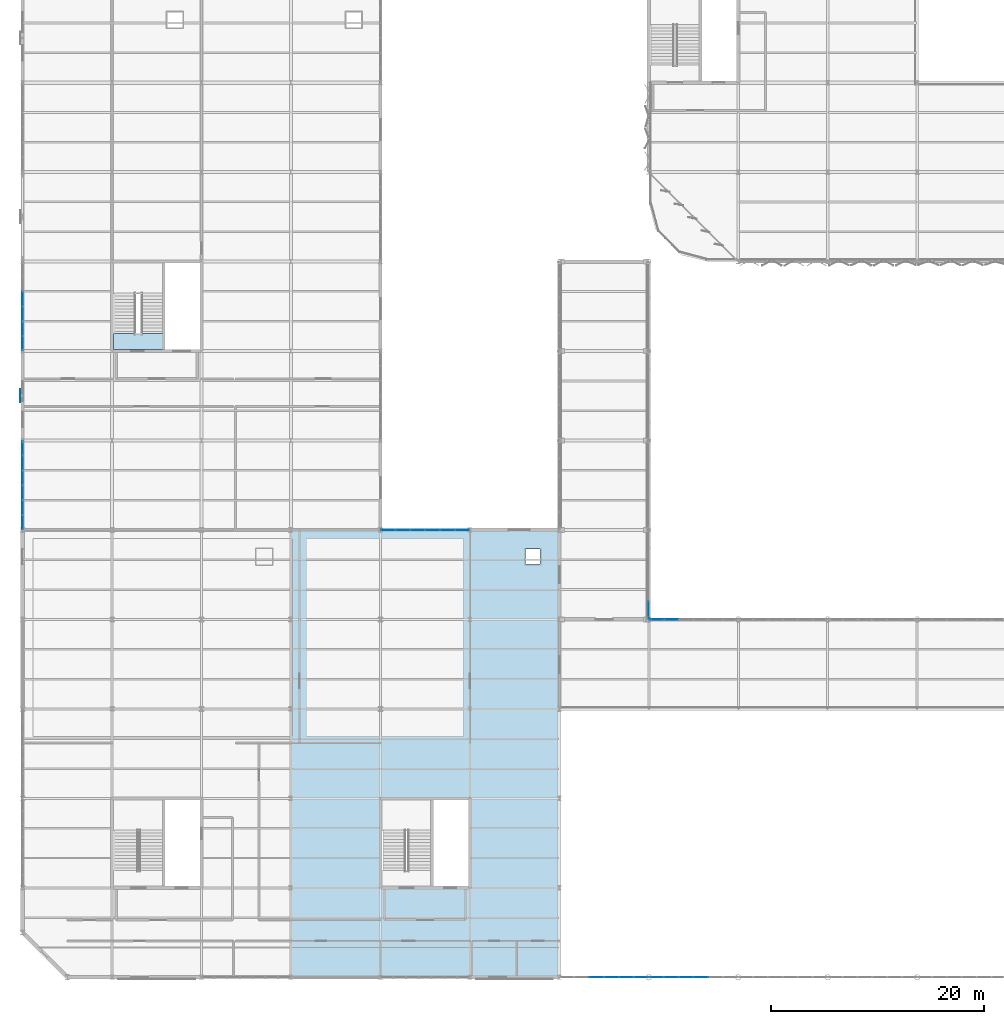
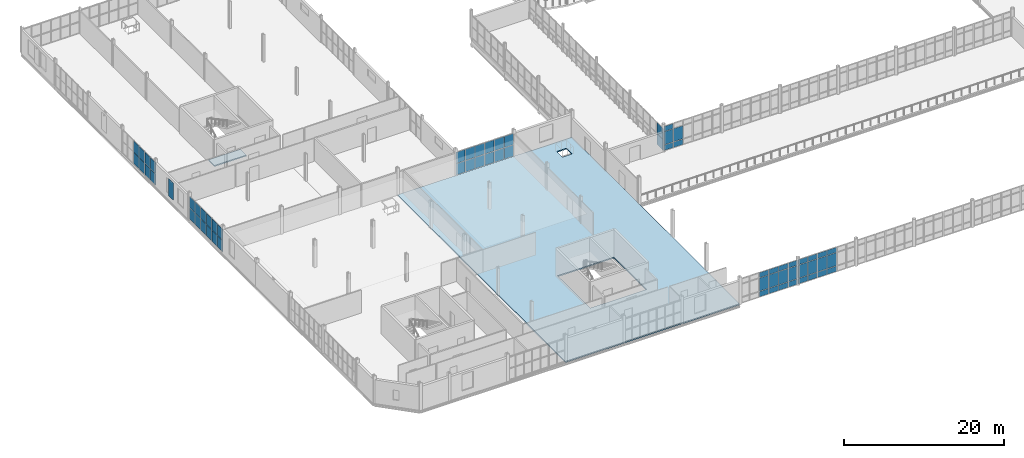
# One storey, part 113 of 163: 64 plates, 2 slabs, 7 elements without a shape of their own.
"""IFC4 building model written with IfcOpenShell, lengths in metres."""

from ifc_helpers import new_model, si_unit, direction, frame, origin, origin_2d, place, context, subcontext, project, spatial, polyline, rectangle, outline, extrude, material, layer, layer_set, type_object, element, aggregate, save


model = new_model("IFC4")

# Units and contexts
model_context = context("Model", 3, precision=1e-05, world=origin(), true_north=direction((0.0, 1.0)))
body_context = subcontext(model_context, "Body", "Model", "MODEL_VIEW")
ifc_project = project(units=[si_unit("LENGTHUNIT", "METRE"), si_unit("AREAUNIT", "SQUARE_METRE"), si_unit("VOLUMEUNIT", "CUBIC_METRE"), si_unit("PLANEANGLEUNIT", "RADIAN"), si_unit("MASSUNIT", "GRAM", prefix="KILO")], contexts=[model_context])

# Site, building, storey
site_placement = place(None, origin())
site = spatial("IfcSite", under=ifc_project, at=site_placement, CompositionType="ELEMENT")
building_placement = place(site_placement, origin())
building = spatial("IfcBuilding", under=site, at=building_placement, Name="Qalvenar Corner Mobility Hub", CompositionType="ELEMENT")
storey_placement = place(building_placement, frame((0.0, 0.0, 4.800048828125)))
storey = spatial("IfcBuildingStorey", under=building, at=storey_placement, Name="L01", CompositionType="ELEMENT", Elevation=4.800048828125)

# Curtain wall, plates
ifc_material_1 = material(Name="Anodised Aluminium and Low-E Glazing", Category="aluminium")
ifc_layer_1 = layer(ifc_material_1, 0.14990234375)
ifc_layer_set_1 = layer_set([ifc_layer_1], Name="Anodised Aluminium and Low-E Glazing")
curtain_wall_type_1 = type_object("IfcCurtainWallType", Name="CW-CIV-84X40", PredefinedType="NOTDEFINED", material=ifc_layer_set_1)
curtain_wall_1_placement = place(storey_placement, origin())
curtain_wall_1 = element("IfcCurtainWall", 1, at=curtain_wall_1_placement, inside=storey, type_object=curtain_wall_type_1, Name="Glazed Curtain Wall CW-V3-L01-N4", PredefinedType="NOTDEFINED")
ifc_material_2 = material(Name="Solar-Control Low-E Double Glazing", Category="glass")
ifc_layer_2 = layer(ifc_material_2, 0.028076171875)
ifc_layer_set_2 = layer_set([ifc_layer_2], Name="Solar-Control Low-E Double Glazing")
plate_type_1 = type_object("IfcPlateType", Name="PLT-CWP-GLZ1", PredefinedType="CURTAIN_PANEL", material=ifc_layer_set_2)
plate_1_placement = place(storey_placement, frame((41.284912109375, 42.0, 0.05517578125), z_axis=(0.0, 0.0, 1.0), x_axis=(-1.0, 0.0, 0.0)))
plate_1 = element("IfcPlate", 2, at=plate_1_placement, type_object=plate_type_1, Name="CW-05 panel 1.1", PredefinedType="CURTAIN_PANEL", context=body_context, shape_type="SweptSolid", body=[
    extrude(rectangle(XDim=1.31005859375, YDim=0.028076171875, at=origin_2d()), origin(), (0.0, 0.0, 1.0), 1.702392578125),
])
plate_2_placement = place(storey_placement, frame((41.284912109375, 42.0, 1.8125), z_axis=(0.0, 0.0, 1.0), x_axis=(-1.0, 0.0, 0.0)))
plate_2 = element("IfcPlate", 3, at=plate_2_placement, type_object=plate_type_1, Name="CW-05 panel 1.2", PredefinedType="CURTAIN_PANEL", context=body_context, shape_type="SweptSolid", body=[
    extrude(rectangle(XDim=1.31005859375, YDim=0.028076171875, at=origin_2d()), origin(), (0.0, 0.0, 1.0), 1.702392578125),
])
plate_3_placement = place(storey_placement, frame((39.89990234375, 42.0, 0.05517578125), z_axis=(0.0, 0.0, 1.0), x_axis=(-1.0, 0.0, 0.0)))
plate_3 = element("IfcPlate", 4, at=plate_3_placement, type_object=plate_type_1, Name="CW-05 panel 2.1", PredefinedType="CURTAIN_PANEL", context=body_context, shape_type="SweptSolid", body=[
    extrude(rectangle(XDim=1.340087890625, YDim=0.028076171875, at=origin_2d()), origin(), (0.0, 0.0, 1.0), 1.702392578125),
])
plate_4_placement = place(storey_placement, frame((39.89990234375, 42.0, 1.8125), z_axis=(0.0, 0.0, 1.0), x_axis=(-1.0, 0.0, 0.0)))
plate_4 = element("IfcPlate", 5, at=plate_4_placement, type_object=plate_type_1, Name="CW-05 panel 2.2", PredefinedType="CURTAIN_PANEL", context=body_context, shape_type="SweptSolid", body=[
    extrude(rectangle(XDim=1.340087890625, YDim=0.028076171875, at=origin_2d()), origin(), (0.0, 0.0, 1.0), 1.702392578125),
])
plate_5_placement = place(storey_placement, frame((38.5, 42.0, 0.05517578125), z_axis=(0.0, 0.0, 1.0), x_axis=(-1.0, 0.0, 0.0)))
plate_5 = element("IfcPlate", 6, at=plate_5_placement, type_object=plate_type_1, Name="CW-05 panel 3.1", PredefinedType="CURTAIN_PANEL", context=body_context, shape_type="SweptSolid", body=[
    extrude(rectangle(XDim=1.340087890625, YDim=0.028076171875, at=origin_2d()), origin(), (0.0, 0.0, 1.0), 1.702392578125),
])
plate_6_placement = place(storey_placement, frame((38.5, 42.0, 1.8125), z_axis=(0.0, 0.0, 1.0), x_axis=(-1.0, 0.0, 0.0)))
plate_6 = element("IfcPlate", 7, at=plate_6_placement, type_object=plate_type_1, Name="CW-05 panel 3.2", PredefinedType="CURTAIN_PANEL", context=body_context, shape_type="SweptSolid", body=[
    extrude(rectangle(XDim=1.340087890625, YDim=0.028076171875, at=origin_2d()), origin(), (0.0, 0.0, 1.0), 1.702392578125),
])
plate_7_placement = place(storey_placement, frame((37.10009765625, 42.0, 0.05517578125), z_axis=(0.0, 0.0, 1.0), x_axis=(-1.0, 0.0, 0.0)))
plate_7 = element("IfcPlate", 8, at=plate_7_placement, type_object=plate_type_1, Name="CW-05 panel 4.1", PredefinedType="CURTAIN_PANEL", context=body_context, shape_type="SweptSolid", body=[
    extrude(rectangle(XDim=1.340087890625, YDim=0.028076171875, at=origin_2d()), origin(), (0.0, 0.0, 1.0), 1.702392578125),
])
plate_8_placement = place(storey_placement, frame((37.10009765625, 42.0, 1.8125), z_axis=(0.0, 0.0, 1.0), x_axis=(-1.0, 0.0, 0.0)))
plate_8 = element("IfcPlate", 9, at=plate_8_placement, type_object=plate_type_1, Name="CW-05 panel 4.2", PredefinedType="CURTAIN_PANEL", context=body_context, shape_type="SweptSolid", body=[
    extrude(rectangle(XDim=1.340087890625, YDim=0.028076171875, at=origin_2d()), origin(), (0.0, 0.0, 1.0), 1.702392578125),
])
plate_9_placement = place(storey_placement, frame((35.699951171875, 42.0, 0.05517578125), z_axis=(0.0, 0.0, 1.0), x_axis=(-1.0, 0.0, 0.0)))
plate_9 = element("IfcPlate", 10, at=plate_9_placement, type_object=plate_type_1, Name="CW-05 panel 5.1", PredefinedType="CURTAIN_PANEL", context=body_context, shape_type="SweptSolid", body=[
    extrude(rectangle(XDim=1.340087890625, YDim=0.028076171875, at=origin_2d()), origin(), (0.0, 0.0, 1.0), 1.702392578125),
])
plate_10_placement = place(storey_placement, frame((35.699951171875, 42.0, 1.8125), z_axis=(0.0, 0.0, 1.0), x_axis=(-1.0, 0.0, 0.0)))
plate_10 = element("IfcPlate", 11, at=plate_10_placement, type_object=plate_type_1, Name="CW-05 panel 5.2", PredefinedType="CURTAIN_PANEL", context=body_context, shape_type="SweptSolid", body=[
    extrude(rectangle(XDim=1.340087890625, YDim=0.028076171875, at=origin_2d()), origin(), (0.0, 0.0, 1.0), 1.702392578125),
])
plate_11_placement = place(storey_placement, frame((34.31494140625, 42.0, 0.05517578125), z_axis=(0.0, 0.0, 1.0), x_axis=(-1.0, 0.0, 0.0)))
plate_11 = element("IfcPlate", 12, at=plate_11_placement, type_object=plate_type_1, Name="CW-05 panel 6.1", PredefinedType="CURTAIN_PANEL", context=body_context, shape_type="SweptSolid", body=[
    extrude(rectangle(XDim=1.31005859375, YDim=0.028076171875, at=origin_2d()), origin(), (0.0, 0.0, 1.0), 1.702392578125),
])
plate_12_placement = place(storey_placement, frame((34.31494140625, 42.0, 1.8125), z_axis=(0.0, 0.0, 1.0), x_axis=(-1.0, 0.0, 0.0)))
plate_12 = element("IfcPlate", 13, at=plate_12_placement, type_object=plate_type_1, Name="CW-05 panel 6.2", PredefinedType="CURTAIN_PANEL", context=body_context, shape_type="SweptSolid", body=[
    extrude(rectangle(XDim=1.31005859375, YDim=0.028076171875, at=origin_2d()), origin(), (0.0, 0.0, 1.0), 1.702392578125),
])
aggregate(curtain_wall_1, [plate_1, plate_2, plate_3, plate_4, plate_5, plate_6, plate_7, plate_8, plate_9, plate_10, plate_11, plate_12])

ifc_layer_3 = layer(ifc_material_1, 0.179931640625)
ifc_layer_set_3 = layer_set([ifc_layer_3], Name="Anodised Aluminium and Low-E Glazing")
curtain_wall_type_2 = type_object("IfcCurtainWallType", Name="CW-CONC-84X42", PredefinedType="NOTDEFINED", material=ifc_layer_set_3)
curtain_wall_2_placement = place(storey_placement, origin())
curtain_wall_2 = element("IfcCurtainWall", 14, at=curtain_wall_2_placement, inside=storey, type_object=curtain_wall_type_2, Name="Glazed Curtain Wall CW-V1-L01-S0", PredefinedType="NOTDEFINED")
plate_13_placement = place(storey_placement, frame((53.89990234375, 0.0, 0.054931640625), z_axis=(0.0, 0.0, 1.0), x_axis=(1.0, 0.0, 0.0)))
plate_13 = element("IfcPlate", 15, at=plate_13_placement, type_object=plate_type_1, Name="CW-02 panel 3.1", PredefinedType="CURTAIN_PANEL", context=body_context, shape_type="SweptSolid", body=[
    extrude(rectangle(XDim=1.340087890625, YDim=0.028076171875, at=origin_2d()), origin(), (0.0, 0.0, 1.0), 0.8173828125),
])
plate_14_placement = place(storey_placement, frame((53.89990234375, 0.0, 0.927490234375), z_axis=(0.0, 0.0, 1.0), x_axis=(1.0, 0.0, 0.0)))
plate_14 = element("IfcPlate", 16, at=plate_14_placement, type_object=plate_type_1, Name="CW-02 panel 3.2", PredefinedType="CURTAIN_PANEL", context=body_context, shape_type="SweptSolid", body=[
    extrude(rectangle(XDim=1.340087890625, YDim=0.028076171875, at=origin_2d()), origin(), (0.0, 0.0, 1.0), 1.9951171875),
])
plate_15_placement = place(storey_placement, frame((53.89990234375, 0.0, 2.977294921875), z_axis=(0.0, 0.0, 1.0), x_axis=(1.0, 0.0, 0.0)))
plate_15 = element("IfcPlate", 17, at=plate_15_placement, type_object=plate_type_1, Name="CW-02 panel 3.3", PredefinedType="CURTAIN_PANEL", context=body_context, shape_type="SweptSolid", body=[
    extrude(rectangle(XDim=1.340087890625, YDim=0.028076171875, at=origin_2d()), origin(), (0.0, 0.0, 1.0), 0.767578125),
])
plate_16_placement = place(storey_placement, frame((55.300048828125, 0.0, 0.054931640625), z_axis=(0.0, 0.0, 1.0), x_axis=(1.0, 0.0, 0.0)))
plate_16 = element("IfcPlate", 18, at=plate_16_placement, type_object=plate_type_1, Name="CW-02 panel 4.1", PredefinedType="CURTAIN_PANEL", context=body_context, shape_type="SweptSolid", body=[
    extrude(rectangle(XDim=1.340087890625, YDim=0.028076171875, at=origin_2d()), origin(), (0.0, 0.0, 1.0), 0.8173828125),
])
plate_17_placement = place(storey_placement, frame((55.300048828125, 0.0, 0.927490234375), z_axis=(0.0, 0.0, 1.0), x_axis=(1.0, 0.0, 0.0)))
plate_17 = element("IfcPlate", 19, at=plate_17_placement, type_object=plate_type_1, Name="CW-02 panel 4.2", PredefinedType="CURTAIN_PANEL", context=body_context, shape_type="SweptSolid", body=[
    extrude(rectangle(XDim=1.340087890625, YDim=0.028076171875, at=origin_2d()), origin(), (0.0, 0.0, 1.0), 1.9951171875),
])
plate_18_placement = place(storey_placement, frame((55.300048828125, 0.0, 2.977294921875), z_axis=(0.0, 0.0, 1.0), x_axis=(1.0, 0.0, 0.0)))
plate_18 = element("IfcPlate", 20, at=plate_18_placement, type_object=plate_type_1, Name="CW-02 panel 4.3", PredefinedType="CURTAIN_PANEL", context=body_context, shape_type="SweptSolid", body=[
    extrude(rectangle(XDim=1.340087890625, YDim=0.028076171875, at=origin_2d()), origin(), (0.0, 0.0, 1.0), 0.767578125),
])
plate_19_placement = place(storey_placement, frame((56.699951171875, 0.0, 0.054931640625), z_axis=(0.0, 0.0, 1.0), x_axis=(1.0, 0.0, 0.0)))
plate_19 = element("IfcPlate", 21, at=plate_19_placement, type_object=plate_type_1, Name="CW-02 panel 5.1", PredefinedType="CURTAIN_PANEL", context=body_context, shape_type="SweptSolid", body=[
    extrude(rectangle(XDim=1.340087890625, YDim=0.028076171875, at=origin_2d()), origin(), (0.0, 0.0, 1.0), 0.8173828125),
])
plate_20_placement = place(storey_placement, frame((56.699951171875, 0.0, 0.927490234375), z_axis=(0.0, 0.0, 1.0), x_axis=(1.0, 0.0, 0.0)))
plate_20 = element("IfcPlate", 22, at=plate_20_placement, type_object=plate_type_1, Name="CW-02 panel 5.2", PredefinedType="CURTAIN_PANEL", context=body_context, shape_type="SweptSolid", body=[
    extrude(rectangle(XDim=1.340087890625, YDim=0.028076171875, at=origin_2d()), origin(), (0.0, 0.0, 1.0), 1.9951171875),
])
plate_21_placement = place(storey_placement, frame((56.699951171875, 0.0, 2.977294921875), z_axis=(0.0, 0.0, 1.0), x_axis=(1.0, 0.0, 0.0)))
plate_21 = element("IfcPlate", 23, at=plate_21_placement, type_object=plate_type_1, Name="CW-02 panel 5.3", PredefinedType="CURTAIN_PANEL", context=body_context, shape_type="SweptSolid", body=[
    extrude(rectangle(XDim=1.340087890625, YDim=0.028076171875, at=origin_2d()), origin(), (0.0, 0.0, 1.0), 0.767578125),
])
plate_22_placement = place(storey_placement, frame((58.0849609375, 0.0, 0.054931640625), z_axis=(0.0, 0.0, 1.0), x_axis=(1.0, 0.0, 0.0)))
plate_22 = element("IfcPlate", 24, at=plate_22_placement, type_object=plate_type_1, Name="CW-02 panel 6.1", PredefinedType="CURTAIN_PANEL", context=body_context, shape_type="SweptSolid", body=[
    extrude(rectangle(XDim=1.31005859375, YDim=0.028076171875, at=origin_2d()), origin(), (0.0, 0.0, 1.0), 0.8173828125),
])
plate_23_placement = place(storey_placement, frame((58.0849609375, 0.0, 0.927490234375), z_axis=(0.0, 0.0, 1.0), x_axis=(1.0, 0.0, 0.0)))
plate_23 = element("IfcPlate", 25, at=plate_23_placement, type_object=plate_type_1, Name="CW-02 panel 6.2", PredefinedType="CURTAIN_PANEL", context=body_context, shape_type="SweptSolid", body=[
    extrude(rectangle(XDim=1.31005859375, YDim=0.028076171875, at=origin_2d()), origin(), (0.0, 0.0, 1.0), 1.9951171875),
])
plate_24_placement = place(storey_placement, frame((58.0849609375, 0.0, 2.977294921875), z_axis=(0.0, 0.0, 1.0), x_axis=(1.0, 0.0, 0.0)))
plate_24 = element("IfcPlate", 26, at=plate_24_placement, type_object=plate_type_1, Name="CW-02 panel 6.3", PredefinedType="CURTAIN_PANEL", context=body_context, shape_type="SweptSolid", body=[
    extrude(rectangle(XDim=1.31005859375, YDim=0.028076171875, at=origin_2d()), origin(), (0.0, 0.0, 1.0), 0.767578125),
])
aggregate(curtain_wall_2, [plate_13, plate_14, plate_15, plate_16, plate_17, plate_18, plate_19, plate_20, plate_21, plate_22, plate_23, plate_24])

curtain_wall_3_placement = place(storey_placement, origin())
curtain_wall_3 = element("IfcCurtainWall", 27, at=curtain_wall_3_placement, inside=storey, type_object=curtain_wall_type_2, Name="Glazed Curtain Wall CW-V1-L01-S1", PredefinedType="NOTDEFINED")
plate_25_placement = place(storey_placement, frame((59.514892578125, 0.0, 0.054931640625), z_axis=(0.0, 0.0, 1.0), x_axis=(1.0, 0.0, 0.0)))
plate_25 = element("IfcPlate", 28, at=plate_25_placement, type_object=plate_type_1, Name="CW-02 panel 1.1", PredefinedType="CURTAIN_PANEL", context=body_context, shape_type="SweptSolid", body=[
    extrude(rectangle(XDim=1.31005859375, YDim=0.028076171875, at=origin_2d()), origin(), (0.0, 0.0, 1.0), 0.8173828125),
])
plate_26_placement = place(storey_placement, frame((59.514892578125, 0.0, 0.927490234375), z_axis=(0.0, 0.0, 1.0), x_axis=(1.0, 0.0, 0.0)))
plate_26 = element("IfcPlate", 29, at=plate_26_placement, type_object=plate_type_1, Name="CW-02 panel 1.2", PredefinedType="CURTAIN_PANEL", context=body_context, shape_type="SweptSolid", body=[
    extrude(rectangle(XDim=1.31005859375, YDim=0.028076171875, at=origin_2d()), origin(), (0.0, 0.0, 1.0), 1.9951171875),
])
plate_27_placement = place(storey_placement, frame((59.514892578125, 0.0, 2.977294921875), z_axis=(0.0, 0.0, 1.0), x_axis=(1.0, 0.0, 0.0)))
plate_27 = element("IfcPlate", 30, at=plate_27_placement, type_object=plate_type_1, Name="CW-02 panel 1.3", PredefinedType="CURTAIN_PANEL", context=body_context, shape_type="SweptSolid", body=[
    extrude(rectangle(XDim=1.31005859375, YDim=0.028076171875, at=origin_2d()), origin(), (0.0, 0.0, 1.0), 0.767578125),
])
plate_28_placement = place(storey_placement, frame((60.89990234375, 0.0, 0.054931640625), z_axis=(0.0, 0.0, 1.0), x_axis=(1.0, 0.0, 0.0)))
plate_28 = element("IfcPlate", 31, at=plate_28_placement, type_object=plate_type_1, Name="CW-02 panel 2.1", PredefinedType="CURTAIN_PANEL", context=body_context, shape_type="SweptSolid", body=[
    extrude(rectangle(XDim=1.340087890625, YDim=0.028076171875, at=origin_2d()), origin(), (0.0, 0.0, 1.0), 0.8173828125),
])
plate_29_placement = place(storey_placement, frame((60.89990234375, 0.0, 0.927490234375), z_axis=(0.0, 0.0, 1.0), x_axis=(1.0, 0.0, 0.0)))
plate_29 = element("IfcPlate", 32, at=plate_29_placement, type_object=plate_type_1, Name="CW-02 panel 2.2", PredefinedType="CURTAIN_PANEL", context=body_context, shape_type="SweptSolid", body=[
    extrude(rectangle(XDim=1.340087890625, YDim=0.028076171875, at=origin_2d()), origin(), (0.0, 0.0, 1.0), 1.9951171875),
])
plate_30_placement = place(storey_placement, frame((60.89990234375, 0.0, 2.977294921875), z_axis=(0.0, 0.0, 1.0), x_axis=(1.0, 0.0, 0.0)))
plate_30 = element("IfcPlate", 33, at=plate_30_placement, type_object=plate_type_1, Name="CW-02 panel 2.3", PredefinedType="CURTAIN_PANEL", context=body_context, shape_type="SweptSolid", body=[
    extrude(rectangle(XDim=1.340087890625, YDim=0.028076171875, at=origin_2d()), origin(), (0.0, 0.0, 1.0), 0.767578125),
])
plate_31_placement = place(storey_placement, frame((62.300048828125, 0.0, 0.054931640625), z_axis=(0.0, 0.0, 1.0), x_axis=(1.0, 0.0, 0.0)))
plate_31 = element("IfcPlate", 34, at=plate_31_placement, type_object=plate_type_1, Name="CW-02 panel 3.1", PredefinedType="CURTAIN_PANEL", context=body_context, shape_type="SweptSolid", body=[
    extrude(rectangle(XDim=1.340087890625, YDim=0.028076171875, at=origin_2d()), origin(), (0.0, 0.0, 1.0), 0.8173828125),
])
plate_32_placement = place(storey_placement, frame((62.300048828125, 0.0, 0.927490234375), z_axis=(0.0, 0.0, 1.0), x_axis=(1.0, 0.0, 0.0)))
plate_32 = element("IfcPlate", 35, at=plate_32_placement, type_object=plate_type_1, Name="CW-02 panel 3.2", PredefinedType="CURTAIN_PANEL", context=body_context, shape_type="SweptSolid", body=[
    extrude(rectangle(XDim=1.340087890625, YDim=0.028076171875, at=origin_2d()), origin(), (0.0, 0.0, 1.0), 1.9951171875),
])
plate_33_placement = place(storey_placement, frame((62.300048828125, 0.0, 2.977294921875), z_axis=(0.0, 0.0, 1.0), x_axis=(1.0, 0.0, 0.0)))
plate_33 = element("IfcPlate", 36, at=plate_33_placement, type_object=plate_type_1, Name="CW-02 panel 3.3", PredefinedType="CURTAIN_PANEL", context=body_context, shape_type="SweptSolid", body=[
    extrude(rectangle(XDim=1.340087890625, YDim=0.028076171875, at=origin_2d()), origin(), (0.0, 0.0, 1.0), 0.767578125),
])
plate_34_placement = place(storey_placement, frame((63.699951171875, 0.0, 0.054931640625), z_axis=(0.0, 0.0, 1.0), x_axis=(1.0, 0.0, 0.0)))
plate_34 = element("IfcPlate", 37, at=plate_34_placement, type_object=plate_type_1, Name="CW-02 panel 4.1", PredefinedType="CURTAIN_PANEL", context=body_context, shape_type="SweptSolid", body=[
    extrude(rectangle(XDim=1.340087890625, YDim=0.028076171875, at=origin_2d()), origin(), (0.0, 0.0, 1.0), 0.8173828125),
])
plate_35_placement = place(storey_placement, frame((63.699951171875, 0.0, 0.927490234375), z_axis=(0.0, 0.0, 1.0), x_axis=(1.0, 0.0, 0.0)))
plate_35 = element("IfcPlate", 38, at=plate_35_placement, type_object=plate_type_1, Name="CW-02 panel 4.2", PredefinedType="CURTAIN_PANEL", context=body_context, shape_type="SweptSolid", body=[
    extrude(rectangle(XDim=1.340087890625, YDim=0.028076171875, at=origin_2d()), origin(), (0.0, 0.0, 1.0), 1.9951171875),
])
plate_36_placement = place(storey_placement, frame((63.699951171875, 0.0, 2.977294921875), z_axis=(0.0, 0.0, 1.0), x_axis=(1.0, 0.0, 0.0)))
plate_36 = element("IfcPlate", 39, at=plate_36_placement, type_object=plate_type_1, Name="CW-02 panel 4.3", PredefinedType="CURTAIN_PANEL", context=body_context, shape_type="SweptSolid", body=[
    extrude(rectangle(XDim=1.340087890625, YDim=0.028076171875, at=origin_2d()), origin(), (0.0, 0.0, 1.0), 0.767578125),
])
aggregate(curtain_wall_3, [plate_25, plate_26, plate_27, plate_28, plate_29, plate_30, plate_31, plate_32, plate_33, plate_34, plate_35, plate_36])

curtain_wall_4_placement = place(storey_placement, origin())
curtain_wall_4 = element("IfcCurtainWall", 40, at=curtain_wall_4_placement, inside=storey, type_object=curtain_wall_type_2, Name="Glazed Curtain Wall CW-V1-L01-N1", PredefinedType="NOTDEFINED")
plate_37_placement = place(storey_placement, frame((60.89990234375, 33.60009765625, 0.054931640625), z_axis=(0.0, 0.0, 1.0), x_axis=(-1.0, 0.0, 0.0)))
plate_37 = element("IfcPlate", 41, at=plate_37_placement, type_object=plate_type_1, Name="CW-02 panel 5.1", PredefinedType="CURTAIN_PANEL", context=body_context, shape_type="SweptSolid", body=[
    extrude(rectangle(XDim=1.340087890625, YDim=0.028076171875, at=origin_2d()), origin(), (0.0, 0.0, 1.0), 0.8173828125),
])
plate_38_placement = place(storey_placement, frame((60.89990234375, 33.60009765625, 0.927490234375), z_axis=(0.0, 0.0, 1.0), x_axis=(-1.0, 0.0, 0.0)))
plate_38 = element("IfcPlate", 42, at=plate_38_placement, type_object=plate_type_1, Name="CW-02 panel 5.2", PredefinedType="CURTAIN_PANEL", context=body_context, shape_type="SweptSolid", body=[
    extrude(rectangle(XDim=1.340087890625, YDim=0.028076171875, at=origin_2d()), origin(), (0.0, 0.0, 1.0), 1.9951171875),
])
plate_39_placement = place(storey_placement, frame((59.514892578125, 33.60009765625, 0.054931640625), z_axis=(0.0, 0.0, 1.0), x_axis=(-1.0, 0.0, 0.0)))
plate_39 = element("IfcPlate", 43, at=plate_39_placement, type_object=plate_type_1, Name="CW-02 panel 6.1", PredefinedType="CURTAIN_PANEL", context=body_context, shape_type="SweptSolid", body=[
    extrude(rectangle(XDim=1.31005859375, YDim=0.028076171875, at=origin_2d()), origin(), (0.0, 0.0, 1.0), 0.8173828125),
])
plate_40_placement = place(storey_placement, frame((59.514892578125, 33.60009765625, 0.927490234375), z_axis=(0.0, 0.0, 1.0), x_axis=(-1.0, 0.0, 0.0)))
plate_40 = element("IfcPlate", 44, at=plate_40_placement, type_object=plate_type_1, Name="CW-02 panel 6.2", PredefinedType="CURTAIN_PANEL", context=body_context, shape_type="SweptSolid", body=[
    extrude(rectangle(XDim=1.31005859375, YDim=0.028076171875, at=origin_2d()), origin(), (0.0, 0.0, 1.0), 1.9951171875),
])
plate_41_placement = place(storey_placement, frame((59.514892578125, 33.60009765625, 2.977294921875), z_axis=(0.0, 0.0, 1.0), x_axis=(-1.0, 0.0, 0.0)))
plate_41 = element("IfcPlate", 45, at=plate_41_placement, type_object=plate_type_1, Name="CW-02 panel 6.3", PredefinedType="CURTAIN_PANEL", context=body_context, shape_type="SweptSolid", body=[
    extrude(rectangle(XDim=1.31005859375, YDim=0.028076171875, at=origin_2d()), origin(), (0.0, 0.0, 1.0), 0.767578125),
])
aggregate(curtain_wall_4, [plate_37, plate_38, plate_39, plate_40, plate_41])

ifc_layer_4 = layer(ifc_material_1, 0.14990234375)
ifc_layer_set_4 = layer_set([ifc_layer_4], Name="Anodised Aluminium and Low-E Glazing")
curtain_wall_type_3 = type_object("IfcCurtainWallType", Name="CW-CYC-84X39", PredefinedType="NOTDEFINED", material=ifc_layer_set_4)
curtain_wall_5_placement = place(storey_placement, origin())
curtain_wall_5 = element("IfcCurtainWall", 46, at=curtain_wall_5_placement, inside=storey, type_object=curtain_wall_type_3, Name="Glazed Curtain Wall CW-V5-L01-W0", PredefinedType="NOTDEFINED")
plate_42_placement = place(storey_placement, frame((0.0, 49.68505859375, 0.05517578125), z_axis=(0.0, 0.0, 1.0), x_axis=(0.0, -1.0, 0.0)))
plate_42 = element("IfcPlate", 47, at=plate_42_placement, type_object=plate_type_1, Name="CW-08 panel 1.1", PredefinedType="CURTAIN_PANEL", context=body_context, shape_type="SweptSolid", body=[
    extrude(rectangle(XDim=1.31005859375, YDim=0.028076171875, at=origin_2d()), origin(), (0.0, 0.0, 1.0), 1.702392578125),
])
plate_43_placement = place(storey_placement, frame((0.0, 49.68505859375, 1.8125), z_axis=(0.0, 0.0, 1.0), x_axis=(0.0, -1.0, 0.0)))
plate_43 = element("IfcPlate", 48, at=plate_43_placement, type_object=plate_type_1, Name="CW-08 panel 1.2", PredefinedType="CURTAIN_PANEL", context=body_context, shape_type="SweptSolid", body=[
    extrude(rectangle(XDim=1.31005859375, YDim=0.028076171875, at=origin_2d()), origin(), (0.0, 0.0, 1.0), 1.702392578125),
])
plate_44_placement = place(storey_placement, frame((0.0, 48.300048828125, 0.05517578125), z_axis=(0.0, 0.0, 1.0), x_axis=(0.0, -1.0, 0.0)))
plate_44 = element("IfcPlate", 49, at=plate_44_placement, type_object=plate_type_1, Name="CW-08 panel 2.1", PredefinedType="CURTAIN_PANEL", context=body_context, shape_type="SweptSolid", body=[
    extrude(rectangle(XDim=1.340087890625, YDim=0.028076171875, at=origin_2d()), origin(), (0.0, 0.0, 1.0), 1.702392578125),
])
plate_45_placement = place(storey_placement, frame((0.0, 48.300048828125, 1.8125), z_axis=(0.0, 0.0, 1.0), x_axis=(0.0, -1.0, 0.0)))
plate_45 = element("IfcPlate", 50, at=plate_45_placement, type_object=plate_type_1, Name="CW-08 panel 2.2", PredefinedType="CURTAIN_PANEL", context=body_context, shape_type="SweptSolid", body=[
    extrude(rectangle(XDim=1.340087890625, YDim=0.028076171875, at=origin_2d()), origin(), (0.0, 0.0, 1.0), 1.702392578125),
])
plate_46_placement = place(storey_placement, frame((0.0, 46.89990234375, 0.05517578125), z_axis=(0.0, 0.0, 1.0), x_axis=(0.0, -1.0, 0.0)))
plate_46 = element("IfcPlate", 51, at=plate_46_placement, type_object=plate_type_1, Name="CW-08 panel 3.1", PredefinedType="CURTAIN_PANEL", context=body_context, shape_type="SweptSolid", body=[
    extrude(rectangle(XDim=1.340087890625, YDim=0.028076171875, at=origin_2d()), origin(), (0.0, 0.0, 1.0), 1.702392578125),
])
plate_47_placement = place(storey_placement, frame((0.0, 46.89990234375, 1.8125), z_axis=(0.0, 0.0, 1.0), x_axis=(0.0, -1.0, 0.0)))
plate_47 = element("IfcPlate", 52, at=plate_47_placement, type_object=plate_type_1, Name="CW-08 panel 3.2", PredefinedType="CURTAIN_PANEL", context=body_context, shape_type="SweptSolid", body=[
    extrude(rectangle(XDim=1.340087890625, YDim=0.028076171875, at=origin_2d()), origin(), (0.0, 0.0, 1.0), 1.702392578125),
])
plate_48_placement = place(storey_placement, frame((0.0, 45.5, 0.05517578125), z_axis=(0.0, 0.0, 1.0), x_axis=(0.0, -1.0, 0.0)))
plate_48 = element("IfcPlate", 53, at=plate_48_placement, type_object=plate_type_1, Name="CW-08 panel 4.1", PredefinedType="CURTAIN_PANEL", context=body_context, shape_type="SweptSolid", body=[
    extrude(rectangle(XDim=1.340087890625, YDim=0.028076171875, at=origin_2d()), origin(), (0.0, 0.0, 1.0), 1.702392578125),
])
plate_49_placement = place(storey_placement, frame((0.0, 45.5, 1.8125), z_axis=(0.0, 0.0, 1.0), x_axis=(0.0, -1.0, 0.0)))
plate_49 = element("IfcPlate", 54, at=plate_49_placement, type_object=plate_type_1, Name="CW-08 panel 4.2", PredefinedType="CURTAIN_PANEL", context=body_context, shape_type="SweptSolid", body=[
    extrude(rectangle(XDim=1.340087890625, YDim=0.028076171875, at=origin_2d()), origin(), (0.0, 0.0, 1.0), 1.702392578125),
])
plate_50_placement = place(storey_placement, frame((0.0, 44.10009765625, 0.05517578125), z_axis=(0.0, 0.0, 1.0), x_axis=(0.0, -1.0, 0.0)))
plate_50 = element("IfcPlate", 55, at=plate_50_placement, type_object=plate_type_1, Name="CW-08 panel 5.1", PredefinedType="CURTAIN_PANEL", context=body_context, shape_type="SweptSolid", body=[
    extrude(rectangle(XDim=1.340087890625, YDim=0.028076171875, at=origin_2d()), origin(), (0.0, 0.0, 1.0), 1.702392578125),
])
plate_51_placement = place(storey_placement, frame((0.0, 44.10009765625, 1.8125), z_axis=(0.0, 0.0, 1.0), x_axis=(0.0, -1.0, 0.0)))
plate_51 = element("IfcPlate", 56, at=plate_51_placement, type_object=plate_type_1, Name="CW-08 panel 5.2", PredefinedType="CURTAIN_PANEL", context=body_context, shape_type="SweptSolid", body=[
    extrude(rectangle(XDim=1.340087890625, YDim=0.028076171875, at=origin_2d()), origin(), (0.0, 0.0, 1.0), 1.702392578125),
])
plate_52_placement = place(storey_placement, frame((0.0, 42.715087890625, 0.05517578125), z_axis=(0.0, 0.0, 1.0), x_axis=(0.0, -1.0, 0.0)))
plate_52 = element("IfcPlate", 57, at=plate_52_placement, type_object=plate_type_1, Name="CW-08 panel 6.1", PredefinedType="CURTAIN_PANEL", context=body_context, shape_type="SweptSolid", body=[
    extrude(rectangle(XDim=1.31005859375, YDim=0.028076171875, at=origin_2d()), origin(), (0.0, 0.0, 1.0), 1.702392578125),
])
plate_53_placement = place(storey_placement, frame((0.0, 42.715087890625, 1.8125), z_axis=(0.0, 0.0, 1.0), x_axis=(0.0, -1.0, 0.0)))
plate_53 = element("IfcPlate", 58, at=plate_53_placement, type_object=plate_type_1, Name="CW-08 panel 6.2", PredefinedType="CURTAIN_PANEL", context=body_context, shape_type="SweptSolid", body=[
    extrude(rectangle(XDim=1.31005859375, YDim=0.028076171875, at=origin_2d()), origin(), (0.0, 0.0, 1.0), 1.702392578125),
])
aggregate(curtain_wall_5, [plate_42, plate_43, plate_44, plate_45, plate_46, plate_47, plate_48, plate_49, plate_50, plate_51, plate_52, plate_53])

curtain_wall_6_placement = place(storey_placement, origin())
curtain_wall_6 = element("IfcCurtainWall", 59, at=curtain_wall_6_placement, inside=storey, type_object=curtain_wall_type_3, Name="Glazed Curtain Wall CW-V5-L01-W2", PredefinedType="NOTDEFINED")
plate_54_placement = place(storey_placement, frame((0.0, 63.699951171875, 0.05517578125), z_axis=(0.0, 0.0, 1.0), x_axis=(0.0, -1.0, 0.0)))
plate_54 = element("IfcPlate", 60, at=plate_54_placement, type_object=plate_type_1, Name="CW-08 panel 3.1", PredefinedType="CURTAIN_PANEL", context=body_context, shape_type="SweptSolid", body=[
    extrude(rectangle(XDim=1.340087890625, YDim=0.028076171875, at=origin_2d()), origin(), (0.0, 0.0, 1.0), 1.702392578125),
])
plate_55_placement = place(storey_placement, frame((0.0, 63.699951171875, 1.8125), z_axis=(0.0, 0.0, 1.0), x_axis=(0.0, -1.0, 0.0)))
plate_55 = element("IfcPlate", 61, at=plate_55_placement, type_object=plate_type_1, Name="CW-08 panel 3.2", PredefinedType="CURTAIN_PANEL", context=body_context, shape_type="SweptSolid", body=[
    extrude(rectangle(XDim=1.340087890625, YDim=0.028076171875, at=origin_2d()), origin(), (0.0, 0.0, 1.0), 1.702392578125),
])
plate_56_placement = place(storey_placement, frame((0.0, 62.300048828125, 0.05517578125), z_axis=(0.0, 0.0, 1.0), x_axis=(0.0, -1.0, 0.0)))
plate_56 = element("IfcPlate", 62, at=plate_56_placement, type_object=plate_type_1, Name="CW-08 panel 4.1", PredefinedType="CURTAIN_PANEL", context=body_context, shape_type="SweptSolid", body=[
    extrude(rectangle(XDim=1.340087890625, YDim=0.028076171875, at=origin_2d()), origin(), (0.0, 0.0, 1.0), 1.702392578125),
])
plate_57_placement = place(storey_placement, frame((0.0, 62.300048828125, 1.8125), z_axis=(0.0, 0.0, 1.0), x_axis=(0.0, -1.0, 0.0)))
plate_57 = element("IfcPlate", 63, at=plate_57_placement, type_object=plate_type_1, Name="CW-08 panel 4.2", PredefinedType="CURTAIN_PANEL", context=body_context, shape_type="SweptSolid", body=[
    extrude(rectangle(XDim=1.340087890625, YDim=0.028076171875, at=origin_2d()), origin(), (0.0, 0.0, 1.0), 1.702392578125),
])
plate_58_placement = place(storey_placement, frame((0.0, 60.89990234375, 0.05517578125), z_axis=(0.0, 0.0, 1.0), x_axis=(0.0, -1.0, 0.0)))
plate_58 = element("IfcPlate", 64, at=plate_58_placement, type_object=plate_type_1, Name="CW-08 panel 5.1", PredefinedType="CURTAIN_PANEL", context=body_context, shape_type="SweptSolid", body=[
    extrude(rectangle(XDim=1.340087890625, YDim=0.028076171875, at=origin_2d()), origin(), (0.0, 0.0, 1.0), 1.702392578125),
])
plate_59_placement = place(storey_placement, frame((0.0, 60.89990234375, 1.8125), z_axis=(0.0, 0.0, 1.0), x_axis=(0.0, -1.0, 0.0)))
plate_59 = element("IfcPlate", 65, at=plate_59_placement, type_object=plate_type_1, Name="CW-08 panel 5.2", PredefinedType="CURTAIN_PANEL", context=body_context, shape_type="SweptSolid", body=[
    extrude(rectangle(XDim=1.340087890625, YDim=0.028076171875, at=origin_2d()), origin(), (0.0, 0.0, 1.0), 1.702392578125),
])
plate_60_placement = place(storey_placement, frame((0.0, 59.514892578125, 0.05517578125), z_axis=(0.0, 0.0, 1.0), x_axis=(0.0, -1.0, 0.0)))
plate_60 = element("IfcPlate", 66, at=plate_60_placement, type_object=plate_type_1, Name="CW-08 panel 6.1", PredefinedType="CURTAIN_PANEL", context=body_context, shape_type="SweptSolid", body=[
    extrude(rectangle(XDim=1.31005859375, YDim=0.028076171875, at=origin_2d()), origin(), (0.0, 0.0, 1.0), 1.702392578125),
])
plate_61_placement = place(storey_placement, frame((0.0, 59.514892578125, 1.8125), z_axis=(0.0, 0.0, 1.0), x_axis=(0.0, -1.0, 0.0)))
plate_61 = element("IfcPlate", 67, at=plate_61_placement, type_object=plate_type_1, Name="CW-08 panel 6.2", PredefinedType="CURTAIN_PANEL", context=body_context, shape_type="SweptSolid", body=[
    extrude(rectangle(XDim=1.31005859375, YDim=0.028076171875, at=origin_2d()), origin(), (0.0, 0.0, 1.0), 1.702392578125),
])
aggregate(curtain_wall_6, [plate_54, plate_55, plate_56, plate_57, plate_58, plate_59, plate_60, plate_61])

ifc_layer_5 = layer(ifc_material_1, 0.1201171875)
ifc_layer_set_5 = layer_set([ifc_layer_5], Name="Anodised Aluminium and Low-E Glazing")
curtain_wall_type_4 = type_object("IfcCurtainWallType", Name="CW-BRG-84X28", PredefinedType="NOTDEFINED", material=ifc_layer_set_5)
curtain_wall_7_placement = place(storey_placement, origin())
curtain_wall_7 = element("IfcCurtainWall", 68, at=curtain_wall_7_placement, inside=storey, type_object=curtain_wall_type_4, Name="Glazed Curtain Wall CW-BRG-L01-E0", PredefinedType="NOTDEFINED")
plate_62_placement = place(storey_placement, frame((58.800048828125, 34.455078125, 0.054931640625), z_axis=(0.0, 0.0, 1.0), x_axis=(0.0, 1.0, 0.0)))
plate_62 = element("IfcPlate", 69, at=plate_62_placement, type_object=plate_type_1, Name="CW-11 panel 1.1", PredefinedType="CURTAIN_PANEL", context=body_context, shape_type="SweptSolid", body=[
    extrude(rectangle(XDim=1.590087890625, YDim=0.028076171875, at=origin_2d()), origin(), (0.0, 0.0, 1.0), 1.642578125),
])
plate_63_placement = place(storey_placement, frame((58.800048828125, 34.455078125, 1.75244140625), z_axis=(0.0, 0.0, 1.0), x_axis=(0.0, 1.0, 0.0)))
plate_63 = element("IfcPlate", 70, at=plate_63_placement, type_object=plate_type_1, Name="CW-11 panel 1.2", PredefinedType="CURTAIN_PANEL", context=body_context, shape_type="SweptSolid", body=[
    extrude(rectangle(XDim=1.590087890625, YDim=0.028076171875, at=origin_2d()), origin(), (0.0, 0.0, 1.0), 1.642578125),
])
aggregate(curtain_wall_7, [plate_62, plate_63])

# Plate
ifc_material_3 = material(Name="Perforated Turquoise-Patina Aluminium", Category="aluminium")
ifc_layer_6 = layer(ifc_material_3, 0.028076171875)
ifc_layer_set_6 = layer_set([ifc_layer_6], Name="Perforated Turquoise-Patina Aluminium")
plate_type_2 = type_object("IfcPlateType", Name="PLT-SCR-CYC", PredefinedType="SHEET", material=ifc_layer_set_6)
plate_64_placement = place(storey_placement, frame((-0.219970703125, 54.60009765625, 0.75), z_axis=(0.0, 0.0, 1.0), x_axis=(0.0, 1.0, 0.0)))
element("IfcPlate", 71, at=plate_64_placement, inside=storey, type_object=plate_type_2, Name="Cycle Hall Sun Screen SC2-L01-1", PredefinedType="SHEET", context=body_context, shape_type="SweptSolid", body=[
    extrude(rectangle(XDim=1.199951171875, YDim=0.028076171875, at=origin_2d()), origin(), (0.0, 0.0, 1.0), 2.60009765625),
])

# Slabs
ifc_material_4 = material(Name="Concrete C35/45", Category="concrete")
ifc_layer_7 = layer(ifc_material_4, 0.179931640625)
ifc_layer_set_7 = layer_set([ifc_layer_7], Name="Concrete C35/45")
slab_type_1 = type_object("IfcSlabType", Name="SLB-COMP180", PredefinedType="FLOOR", material=ifc_layer_set_7)
slab_1_placement = place(storey_placement, frame((0.0, 0.0, -0.179931640625)))
element("IfcSlab", 72, at=slab_1_placement, inside=storey, type_object=slab_type_1, Name="Composite Slab V3-B-L01", PredefinedType="FLOOR", context=body_context, shape_type="SweptSolid", body=[
    extrude(outline(polyline([(25.199951171875, 0.0), (50.39990234375, 0.0), (50.39990234375, 42.0), (25.199951171875, 42.0), (25.199951171875, 0.0)]), holes=[polyline([(33.72998046875, 8.530029296875), (41.8701171875, 8.530029296875), (41.8701171875, 16.669921875), (33.72998046875, 16.669921875), (33.72998046875, 8.530029296875)]), polyline([(47.199951171875, 38.800048828125), (48.60009765625, 38.800048828125), (48.60009765625, 40.199951171875), (47.199951171875, 40.199951171875), (47.199951171875, 38.800048828125)])]), origin(), (0.0, 0.0, 1.0), 0.179931640625),
])
ifc_layer_8 = layer(ifc_material_4, 0.175048828125)
ifc_layer_set_8 = layer_set([ifc_layer_8], Name="Concrete C35/45")
slab_type_2 = type_object("IfcSlabType", Name="SLB-LND200", PredefinedType="LANDING", material=ifc_layer_set_8)
slab_2_placement = place(storey_placement, frame((0.0, 0.0, -0.175048828125)))
element("IfcSlab", 73, at=slab_2_placement, inside=storey, type_object=slab_type_2, Name="Core Stair Arrival Landing C5-L01", PredefinedType="LANDING", context=body_context, shape_type="SweptSolid", body=[
    extrude(outline(polyline([(8.550048828125, 58.949951171875), (13.169921875, 58.949951171875), (13.169921875, 60.449951171875), (8.550048828125, 60.449951171875), (8.550048828125, 58.949951171875)])), origin(), (0.0, 0.0, 1.0), 0.175048828125),
])

save(model, "model.ifc")
